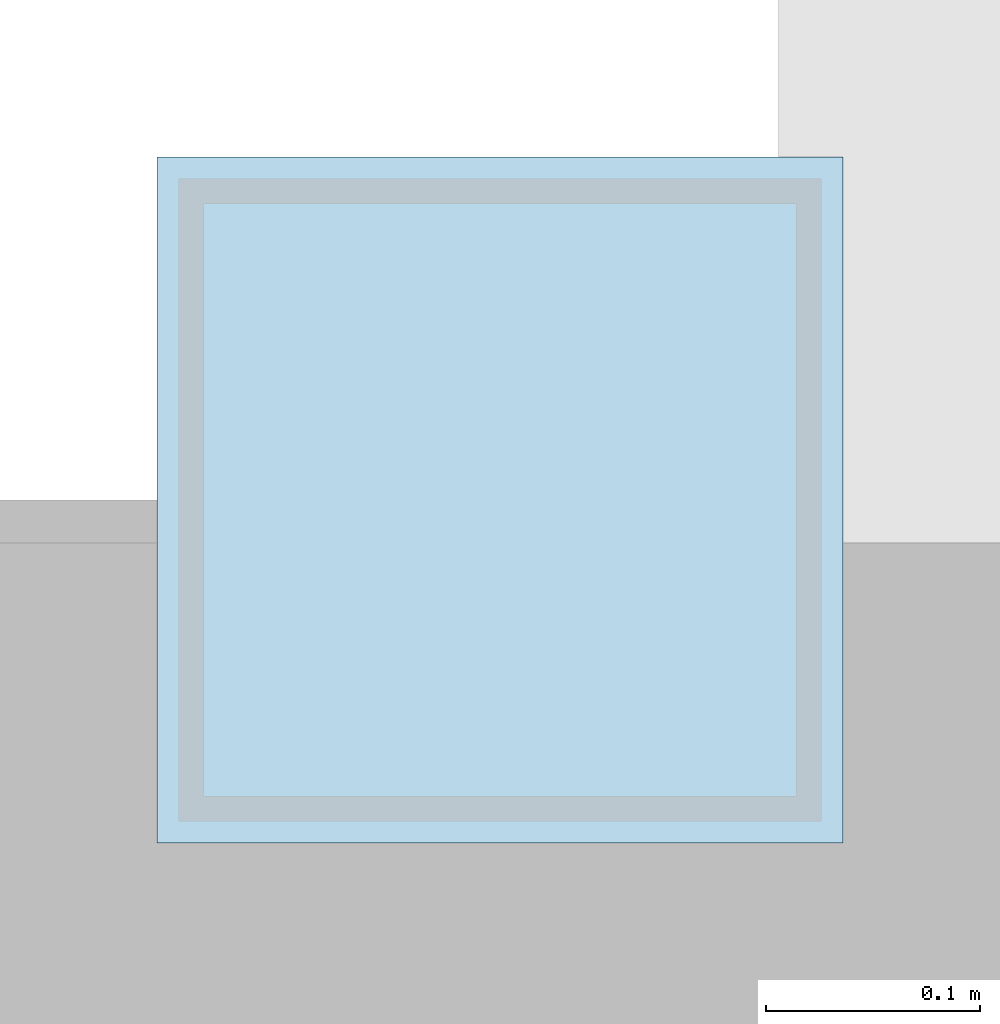
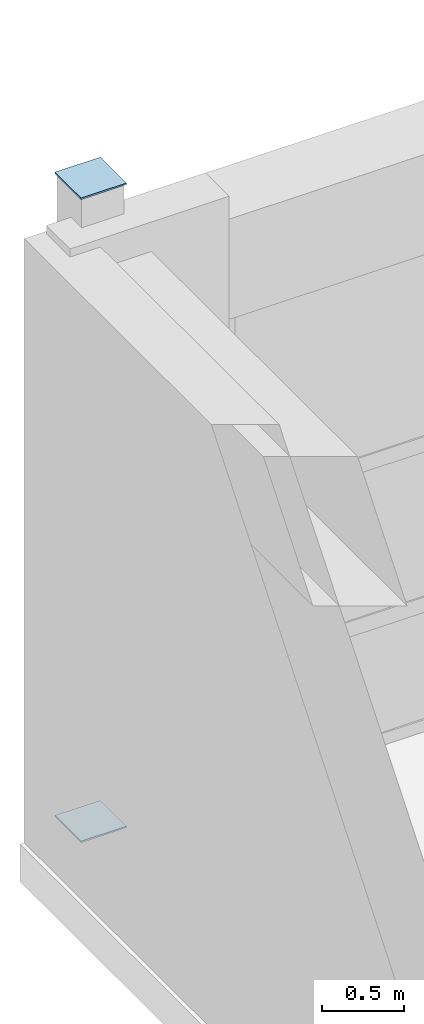
# One storey, part 101 of 123: 2 plates.
"""IFC4 building model written with IfcOpenShell, lengths in metres."""

from ifc_helpers import new_model, si_unit, direction, frame, origin, origin_2d, place, context, subcontext, project, spatial, rectangle, extrude, material, layer, layer_set, type_object, element, save


model = new_model("IFC4")

# Units and contexts
model_context = context("Model", 3, precision=1e-05, world=origin(), true_north=direction((0.0, 1.0)))
body_context = subcontext(model_context, "Body", "Model", "MODEL_VIEW")
ifc_project = project(units=[si_unit("LENGTHUNIT", "METRE"), si_unit("AREAUNIT", "SQUARE_METRE"), si_unit("VOLUMEUNIT", "CUBIC_METRE"), si_unit("PLANEANGLEUNIT", "RADIAN"), si_unit("MASSUNIT", "GRAM", prefix="KILO")], contexts=[model_context])

# Site, building, storey
site_placement = place(None, origin())
site = spatial("IfcSite", under=ifc_project, at=site_placement, CompositionType="ELEMENT")
building_placement = place(site_placement, origin())
building = spatial("IfcBuilding", under=site, at=building_placement, Name="Quendrovan Civic Courthouse", CompositionType="ELEMENT")
storey_placement = place(building_placement, frame((0.0, 0.0, 5.39990234375)))
storey = spatial("IfcBuildingStorey", under=building, at=storey_placement, Name="L02", CompositionType="ELEMENT", Elevation=5.39990234375)

# Plates
ifc_material = material(Name="Steel ASTM A572 Grade 50", Category="steel")
ifc_layer = layer(ifc_material, 0.011962890625, Name="Steel ASTM A572 Grade 50")
ifc_layer_set = layer_set([ifc_layer], Name="Steel ASTM A572 Grade 50")
plate_type = type_object("IfcPlateType", Name="PLT-CAP-12", PredefinedType="SHEET", material=ifc_layer_set)
for number, where, z_axis, x_axis, name in (
    (1, (0.5, 102.0, 4.80029296875), (0.0, 0.0, 1.0), (1.0, 0.0, 0.0), "L02 Hollow Column End Cap Plate COL-L02-1-P-TOP"),
    (2, (0.5, 102.0, -0.01171875), (0.0, 0.0, 1.0), (1.0, 0.0, 0.0), "L02 Hollow Column End Cap Plate COL-L02-1-P-BOT"),
):
    element("IfcPlate", number, at=place(storey_placement, frame(where, z_axis=z_axis, x_axis=x_axis)), inside=storey, type_object=plate_type, Name=name, PredefinedType="SHEET", context=body_context, shape_type="SweptSolid", body=[
        extrude(rectangle(XDim=0.320068359375, YDim=0.320068359375, at=origin_2d()), origin(), (0.0, 0.0, 1.0), 0.011962890625),
    ])

save(model, "model.ifc")
